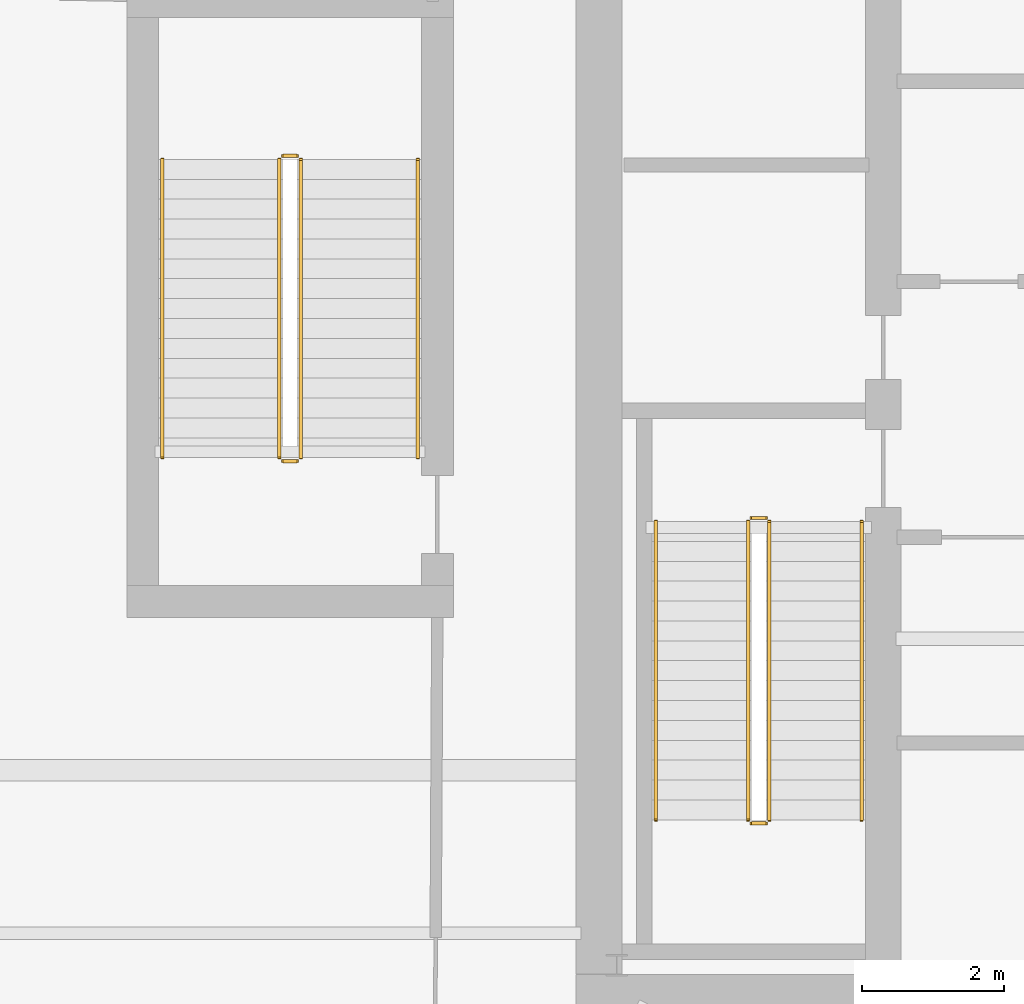
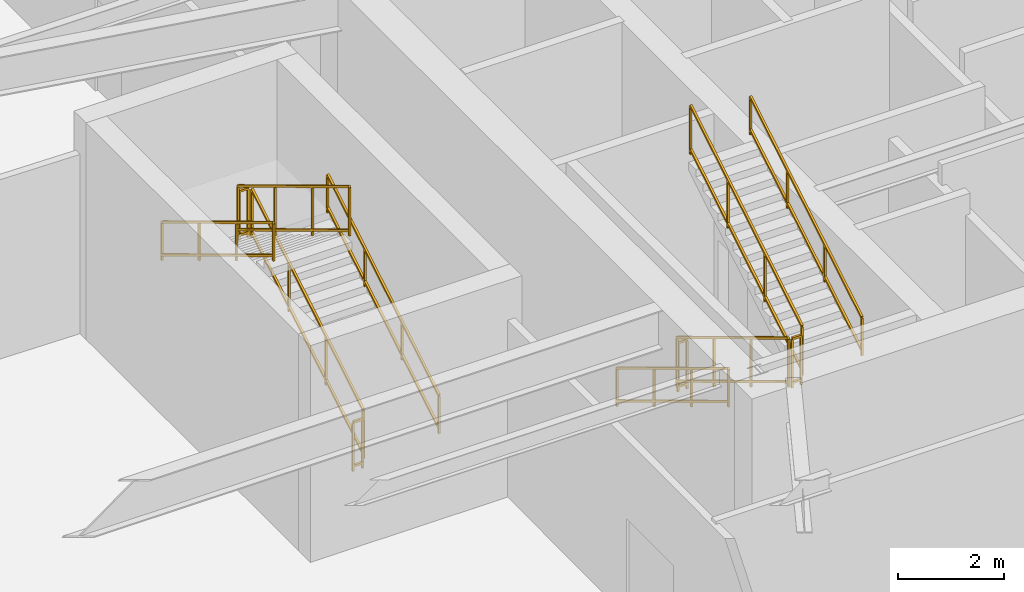
# One storey, part 8 of 11: 12 railings.
"""IFC4 building model written with IfcOpenShell, lengths in metres."""

from ifc_helpers import new_model, si_unit, direction, frame, origin, origin_2d, place, context, subcontext, project, spatial, rectangle, extrude, material, type_object, element, save


model = new_model("IFC4")

# Units and contexts
model_context = context("Model", 3, precision=1e-05, world=origin(), true_north=direction((0.0, 1.0)))
body_context = subcontext(model_context, "Body", "Model", "MODEL_VIEW")
ifc_project = project(units=[si_unit("LENGTHUNIT", "METRE"), si_unit("AREAUNIT", "SQUARE_METRE"), si_unit("VOLUMEUNIT", "CUBIC_METRE"), si_unit("PLANEANGLEUNIT", "RADIAN"), si_unit("MASSUNIT", "GRAM", prefix="KILO")], contexts=[model_context])

# Site, building, storey
site_placement = place(None, origin())
site = spatial("IfcSite", under=ifc_project, at=site_placement, CompositionType="ELEMENT")
building_placement = place(site_placement, origin())
building = spatial("IfcBuilding", under=site, at=building_placement, Name="Qarnah Convention Tower", CompositionType="ELEMENT")
storey_placement = place(building_placement, frame((0.0, 0.0, 16.199951171875)))
storey = spatial("IfcBuildingStorey", under=building, at=storey_placement, Name="L03", CompositionType="ELEMENT", Elevation=16.199951171875)

# Railings
ifc_material = material(Name="Structural steel S355JR", Category="steel")
railing_type_1 = type_object("IfcRailingType", Name="RL-STAIR-GUARD-1150", PredefinedType="GUARDRAIL", material=ifc_material)
railing_1_placement = place(storey_placement, frame((28.89990234375, 25.300048828125, 0.168701171875)))
element("IfcRailing", 1, at=railing_1_placement, inside=storey, type_object=railing_type_1, Name="L03 ST-1 stair guard 1", PredefinedType="GUARDRAIL", context=body_context, shape_type="SweptSolid", body=[
    extrude(rectangle(XDim=0.048095703125, YDim=0.048095703125, at=origin_2d()), frame((0.0, 0.0, 1.1259765625), z_axis=(0.0, -0.856476492594, 0.516186030065), x_axis=(1.0, 0.0, 0.0)), (0.0, 0.0, 1.0), 4.90380859375),
    extrude(rectangle(XDim=0.048095703125, YDim=0.048095703125, at=origin_2d()), frame((0.0, 0.0, 0.1201171875), z_axis=(0.0, -0.856476492594, 0.516186030065), x_axis=(1.0, 0.0, 0.0)), (0.0, 0.0, 1.0), 4.90380859375),
    extrude(rectangle(XDim=0.0419921875, YDim=0.0419921875, at=origin_2d()), origin(), (0.0, 0.0, 1.0), 1.101806640625),
    extrude(rectangle(XDim=0.0419921875, YDim=0.0419921875, at=origin_2d()), frame((0.0, -1.39990234375, 0.84375)), (0.0, 0.0, 1.0), 1.101806640625),
    extrude(rectangle(XDim=0.0419921875, YDim=0.0419921875, at=origin_2d()), frame((0.0, -2.800048828125, 1.6875)), (0.0, 0.0, 1.0), 1.101806640625),
    extrude(rectangle(XDim=0.0419921875, YDim=0.0419921875, at=origin_2d()), frame((0.0, -4.199951171875, 2.53125)), (0.0, 0.0, 1.0), 1.101806640625),
])
railing_2_placement = place(storey_placement, frame((28.949951171875, 21.050048828125, 2.699951171875)))
element("IfcRailing", 2, at=railing_2_placement, inside=storey, type_object=railing_type_1, Name="L03 ST-1 stair guard 2", PredefinedType="GUARDRAIL", context=body_context, shape_type="SweptSolid", body=[
    extrude(rectangle(XDim=0.048095703125, YDim=0.048095703125, at=origin_2d()), frame((0.0, 0.0, 1.1259765625), z_axis=(1.0, 0.0, 0.0), x_axis=(0.0, 1.0, 0.0)), (0.0, 0.0, 1.0), 0.199951171875),
    extrude(rectangle(XDim=0.048095703125, YDim=0.048095703125, at=origin_2d()), frame((0.0, 0.0, 0.1201171875), z_axis=(1.0, 0.0, 0.0), x_axis=(0.0, 1.0, 0.0)), (0.0, 0.0, 1.0), 0.199951171875),
    extrude(rectangle(XDim=0.0419921875, YDim=0.0419921875, at=origin_2d()), origin(), (0.0, 0.0, 1.0), 1.101806640625),
    extrude(rectangle(XDim=0.0419921875, YDim=0.0419921875, at=origin_2d()), frame((0.199951171875, 0.0, 0.0)), (0.0, 0.0, 1.0), 1.101806640625),
])
railing_3_placement = place(storey_placement, frame((29.199951171875, 21.10009765625, 2.868896484375)))
element("IfcRailing", 3, at=railing_3_placement, inside=storey, type_object=railing_type_1, Name="L03 ST-1 stair guard 3", PredefinedType="GUARDRAIL", context=body_context, shape_type="SweptSolid", body=[
    extrude(rectangle(XDim=0.048095703125, YDim=0.048095703125, at=origin_2d()), frame((0.0, 0.0, 1.1259765625), z_axis=(0.0, 0.856476492594, 0.516186030065), x_axis=(-1.0, 0.0, 0.0)), (0.0, 0.0, 1.0), 4.90380859375),
    extrude(rectangle(XDim=0.048095703125, YDim=0.048095703125, at=origin_2d()), frame((0.0, 0.0, 0.1201171875), z_axis=(0.0, 0.856476492594, 0.516186030065), x_axis=(-1.0, 0.0, 0.0)), (0.0, 0.0, 1.0), 4.90380859375),
    extrude(rectangle(XDim=0.0419921875, YDim=0.0419921875, at=origin_2d()), origin(), (0.0, 0.0, 1.0), 1.101806640625),
    extrude(rectangle(XDim=0.0419921875, YDim=0.0419921875, at=origin_2d()), frame((0.0, 1.39990234375, 0.84375)), (0.0, 0.0, 1.0), 1.101806640625),
    extrude(rectangle(XDim=0.0419921875, YDim=0.0419921875, at=origin_2d()), frame((0.0, 2.800048828125, 1.6875)), (0.0, 0.0, 1.0), 1.101806640625),
    extrude(rectangle(XDim=0.0419921875, YDim=0.0419921875, at=origin_2d()), frame((0.0, 4.199951171875, 2.53125)), (0.0, 0.0, 1.0), 1.101806640625),
])
railing_4_placement = place(storey_placement, frame((28.949951171875, 25.35009765625, 0.0)))
element("IfcRailing", 4, at=railing_4_placement, inside=storey, type_object=railing_type_1, Name="L03 ST-1 stair guard 4", PredefinedType="GUARDRAIL", context=body_context, shape_type="SweptSolid", body=[
    extrude(rectangle(XDim=0.048095703125, YDim=0.048095703125, at=origin_2d()), frame((0.0, 0.0, 1.1259765625), z_axis=(1.0, 0.0, 0.0), x_axis=(0.0, 1.0, 0.0)), (0.0, 0.0, 1.0), 0.199951171875),
    extrude(rectangle(XDim=0.048095703125, YDim=0.048095703125, at=origin_2d()), frame((0.0, 0.0, 0.1201171875), z_axis=(1.0, 0.0, 0.0), x_axis=(0.0, 1.0, 0.0)), (0.0, 0.0, 1.0), 0.199951171875),
    extrude(rectangle(XDim=0.0419921875, YDim=0.0419921875, at=origin_2d()), origin(), (0.0, 0.0, 1.0), 1.101806640625),
    extrude(rectangle(XDim=0.0419921875, YDim=0.0419921875, at=origin_2d()), frame((0.199951171875, 0.0, 0.0)), (0.0, 0.0, 1.0), 1.101806640625),
])
railing_5_placement = place(storey_placement, frame((22.60009765625, 26.199951171875, 0.168701171875)))
element("IfcRailing", 5, at=railing_5_placement, inside=storey, type_object=railing_type_1, Name="L03 ST-5 stair guard 1", PredefinedType="GUARDRAIL", context=body_context, shape_type="SweptSolid", body=[
    extrude(rectangle(XDim=0.048095703125, YDim=0.048095703125, at=origin_2d()), frame((0.0, 0.0, 1.1259765625), z_axis=(0.0, 0.856476492594, 0.516186030065), x_axis=(-1.0, 0.0, 0.0)), (0.0, 0.0, 1.0), 4.90380859375),
    extrude(rectangle(XDim=0.048095703125, YDim=0.048095703125, at=origin_2d()), frame((0.0, 0.0, 0.1201171875), z_axis=(0.0, 0.856476492594, 0.516186030065), x_axis=(-1.0, 0.0, 0.0)), (0.0, 0.0, 1.0), 4.90380859375),
    extrude(rectangle(XDim=0.0419921875, YDim=0.0419921875, at=origin_2d()), origin(), (0.0, 0.0, 1.0), 1.101806640625),
    extrude(rectangle(XDim=0.0419921875, YDim=0.0419921875, at=origin_2d()), frame((0.0, 1.39990234375, 0.84375)), (0.0, 0.0, 1.0), 1.101806640625),
    extrude(rectangle(XDim=0.0419921875, YDim=0.0419921875, at=origin_2d()), frame((0.0, 2.800048828125, 1.6875)), (0.0, 0.0, 1.0), 1.101806640625),
    extrude(rectangle(XDim=0.0419921875, YDim=0.0419921875, at=origin_2d()), frame((0.0, 4.199951171875, 2.53125)), (0.0, 0.0, 1.0), 1.101806640625),
])
railing_6_placement = place(storey_placement, frame((22.550048828125, 30.449951171875, 2.699951171875)))
element("IfcRailing", 6, at=railing_6_placement, inside=storey, type_object=railing_type_1, Name="L03 ST-5 stair guard 2", PredefinedType="GUARDRAIL", context=body_context, shape_type="SweptSolid", body=[
    extrude(rectangle(XDim=0.048095703125, YDim=0.048095703125, at=origin_2d()), frame((0.0, 0.0, 1.1259765625), z_axis=(-1.0, 0.0, 0.0), x_axis=(0.0, -1.0, 0.0)), (0.0, 0.0, 1.0), 0.199951171875),
    extrude(rectangle(XDim=0.048095703125, YDim=0.048095703125, at=origin_2d()), frame((0.0, 0.0, 0.1201171875), z_axis=(-1.0, 0.0, 0.0), x_axis=(0.0, -1.0, 0.0)), (0.0, 0.0, 1.0), 0.199951171875),
    extrude(rectangle(XDim=0.0419921875, YDim=0.0419921875, at=origin_2d()), origin(), (0.0, 0.0, 1.0), 1.101806640625),
    extrude(rectangle(XDim=0.0419921875, YDim=0.0419921875, at=origin_2d()), frame((-0.199951171875, 0.0, 0.0)), (0.0, 0.0, 1.0), 1.101806640625),
])
railing_7_placement = place(storey_placement, frame((22.300048828125, 30.39990234375, 2.868896484375)))
element("IfcRailing", 7, at=railing_7_placement, inside=storey, type_object=railing_type_1, Name="L03 ST-5 stair guard 3", PredefinedType="GUARDRAIL", context=body_context, shape_type="SweptSolid", body=[
    extrude(rectangle(XDim=0.048095703125, YDim=0.048095703125, at=origin_2d()), frame((0.0, 0.0, 1.1259765625), z_axis=(0.0, -0.856476492594, 0.516186030065), x_axis=(1.0, 0.0, 0.0)), (0.0, 0.0, 1.0), 4.90380859375),
    extrude(rectangle(XDim=0.048095703125, YDim=0.048095703125, at=origin_2d()), frame((0.0, 0.0, 0.1201171875), z_axis=(0.0, -0.856476492594, 0.516186030065), x_axis=(1.0, 0.0, 0.0)), (0.0, 0.0, 1.0), 4.90380859375),
    extrude(rectangle(XDim=0.0419921875, YDim=0.0419921875, at=origin_2d()), origin(), (0.0, 0.0, 1.0), 1.101806640625),
    extrude(rectangle(XDim=0.0419921875, YDim=0.0419921875, at=origin_2d()), frame((0.0, -1.39990234375, 0.84375)), (0.0, 0.0, 1.0), 1.101806640625),
    extrude(rectangle(XDim=0.0419921875, YDim=0.0419921875, at=origin_2d()), frame((0.0, -2.800048828125, 1.6875)), (0.0, 0.0, 1.0), 1.101806640625),
    extrude(rectangle(XDim=0.0419921875, YDim=0.0419921875, at=origin_2d()), frame((0.0, -4.199951171875, 2.53125)), (0.0, 0.0, 1.0), 1.101806640625),
])
railing_8_placement = place(storey_placement, frame((22.550048828125, 26.14990234375, 0.0)))
element("IfcRailing", 8, at=railing_8_placement, inside=storey, type_object=railing_type_1, Name="L03 ST-5 stair guard 4", PredefinedType="GUARDRAIL", context=body_context, shape_type="SweptSolid", body=[
    extrude(rectangle(XDim=0.048095703125, YDim=0.048095703125, at=origin_2d()), frame((0.0, 0.0, 1.1259765625), z_axis=(-1.0, 0.0, 0.0), x_axis=(0.0, -1.0, 0.0)), (0.0, 0.0, 1.0), 0.199951171875),
    extrude(rectangle(XDim=0.048095703125, YDim=0.048095703125, at=origin_2d()), frame((0.0, 0.0, 0.1201171875), z_axis=(-1.0, 0.0, 0.0), x_axis=(0.0, -1.0, 0.0)), (0.0, 0.0, 1.0), 0.199951171875),
    extrude(rectangle(XDim=0.0419921875, YDim=0.0419921875, at=origin_2d()), origin(), (0.0, 0.0, 1.0), 1.101806640625),
    extrude(rectangle(XDim=0.0419921875, YDim=0.0419921875, at=origin_2d()), frame((-0.199951171875, 0.0, 0.0)), (0.0, 0.0, 1.0), 1.101806640625),
])
railing_type_2 = type_object("IfcRailingType", Name="RL-STAIR-HAND-900", PredefinedType="HANDRAIL", material=ifc_material)
railing_9_placement = place(storey_placement, frame((27.60009765625, 25.300048828125, 0.168701171875)))
element("IfcRailing", 9, at=railing_9_placement, inside=storey, type_object=railing_type_2, Name="L03 ST-1 stair handrail 1", PredefinedType="HANDRAIL", context=body_context, shape_type="SweptSolid", body=[
    extrude(rectangle(XDim=0.048095703125, YDim=0.048095703125, at=origin_2d()), frame((0.0, 0.0, 0.8759765625), z_axis=(0.0, -0.856476492594, 0.516186030065), x_axis=(1.0, 0.0, 0.0)), (0.0, 0.0, 1.0), 4.90380859375),
    extrude(rectangle(XDim=0.048095703125, YDim=0.048095703125, at=origin_2d()), frame((0.0, 0.0, 0.1201171875), z_axis=(0.0, -0.856476492594, 0.516186030065), x_axis=(1.0, 0.0, 0.0)), (0.0, 0.0, 1.0), 4.90380859375),
    extrude(rectangle(XDim=0.0419921875, YDim=0.0419921875, at=origin_2d()), origin(), (0.0, 0.0, 1.0), 0.851806640625),
    extrude(rectangle(XDim=0.0419921875, YDim=0.0419921875, at=origin_2d()), frame((0.0, -1.39990234375, 0.84375)), (0.0, 0.0, 1.0), 0.851806640625),
    extrude(rectangle(XDim=0.0419921875, YDim=0.0419921875, at=origin_2d()), frame((0.0, -2.800048828125, 1.6875)), (0.0, 0.0, 1.0), 0.851806640625),
    extrude(rectangle(XDim=0.0419921875, YDim=0.0419921875, at=origin_2d()), frame((0.0, -4.199951171875, 2.53125)), (0.0, 0.0, 1.0), 0.851806640625),
])
for number, where, name in (
    (10, (30.5, 21.10009765625, 2.868896484375), "L03 ST-1 stair handrail 2"),
    (11, (24.25, 26.199951171875, 0.168701171875), "L03 ST-5 stair handrail 1"),
):
    element("IfcRailing", number, at=place(storey_placement, frame(where)), inside=storey, type_object=railing_type_2, Name=name, PredefinedType="HANDRAIL", context=body_context, shape_type="SweptSolid", body=[
        extrude(rectangle(XDim=0.048095703125, YDim=0.048095703125, at=origin_2d()), frame((0.0, 0.0, 0.8759765625), z_axis=(0.0, 0.856476492594, 0.516186030065), x_axis=(-1.0, 0.0, 0.0)), (0.0, 0.0, 1.0), 4.90380859375),
        extrude(rectangle(XDim=0.048095703125, YDim=0.048095703125, at=origin_2d()), frame((0.0, 0.0, 0.1201171875), z_axis=(0.0, 0.856476492594, 0.516186030065), x_axis=(-1.0, 0.0, 0.0)), (0.0, 0.0, 1.0), 4.90380859375),
        extrude(rectangle(XDim=0.0419921875, YDim=0.0419921875, at=origin_2d()), origin(), (0.0, 0.0, 1.0), 0.851806640625),
        extrude(rectangle(XDim=0.0419921875, YDim=0.0419921875, at=origin_2d()), frame((0.0, 1.39990234375, 0.84375)), (0.0, 0.0, 1.0), 0.851806640625),
        extrude(rectangle(XDim=0.0419921875, YDim=0.0419921875, at=origin_2d()), frame((0.0, 2.800048828125, 1.6875)), (0.0, 0.0, 1.0), 0.851806640625),
        extrude(rectangle(XDim=0.0419921875, YDim=0.0419921875, at=origin_2d()), frame((0.0, 4.199951171875, 2.53125)), (0.0, 0.0, 1.0), 0.851806640625),
    ])
railing_10_placement = place(storey_placement, frame((20.64990234375, 30.39990234375, 2.868896484375)))
element("IfcRailing", 12, at=railing_10_placement, inside=storey, type_object=railing_type_2, Name="L03 ST-5 stair handrail 2", PredefinedType="HANDRAIL", context=body_context, shape_type="SweptSolid", body=[
    extrude(rectangle(XDim=0.048095703125, YDim=0.048095703125, at=origin_2d()), frame((0.0, 0.0, 0.8759765625), z_axis=(0.0, -0.856476492594, 0.516186030065), x_axis=(1.0, 0.0, 0.0)), (0.0, 0.0, 1.0), 4.90380859375),
    extrude(rectangle(XDim=0.048095703125, YDim=0.048095703125, at=origin_2d()), frame((0.0, 0.0, 0.1201171875), z_axis=(0.0, -0.856476492594, 0.516186030065), x_axis=(1.0, 0.0, 0.0)), (0.0, 0.0, 1.0), 4.90380859375),
    extrude(rectangle(XDim=0.0419921875, YDim=0.0419921875, at=origin_2d()), origin(), (0.0, 0.0, 1.0), 0.851806640625),
    extrude(rectangle(XDim=0.0419921875, YDim=0.0419921875, at=origin_2d()), frame((0.0, -1.39990234375, 0.84375)), (0.0, 0.0, 1.0), 0.851806640625),
    extrude(rectangle(XDim=0.0419921875, YDim=0.0419921875, at=origin_2d()), frame((0.0, -2.800048828125, 1.6875)), (0.0, 0.0, 1.0), 0.851806640625),
    extrude(rectangle(XDim=0.0419921875, YDim=0.0419921875, at=origin_2d()), frame((0.0, -4.199951171875, 2.53125)), (0.0, 0.0, 1.0), 0.851806640625),
])

save(model, "model.ifc")
